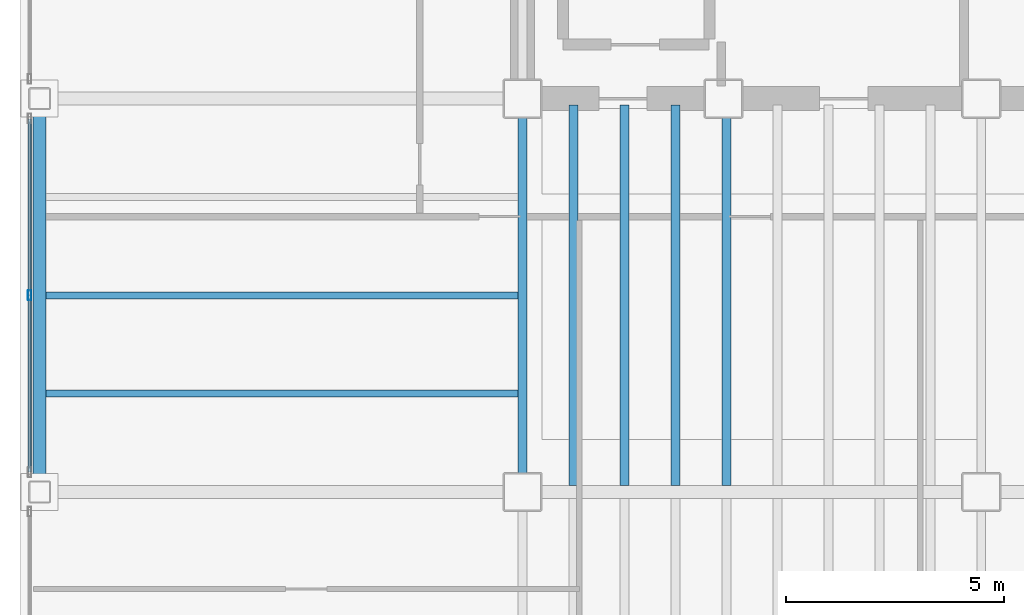
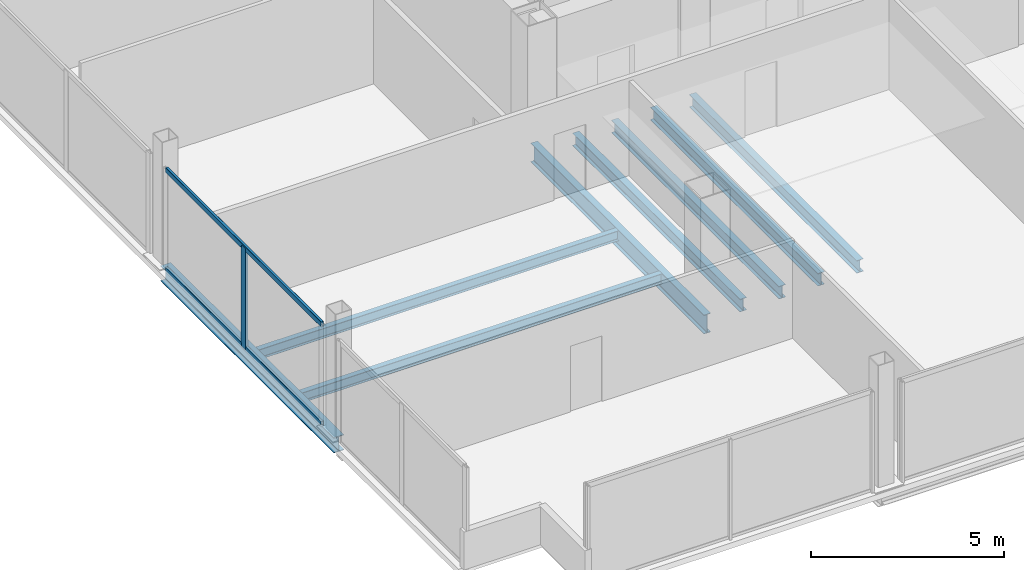
# One storey, part 3 of 20: 8 beams, 3 members, 1 element without a shape of its own.
"""IFC4 building model written with IfcOpenShell, lengths in metres."""

import ifcopenshell
import ifcopenshell.guid

model = None  # the IFC model being written
_history = None  # IfcOwnerHistory: only IFC2X3 demands one
_inside = {}  # id of a spatial element -> (the spatial element, [elements in it])
_under = {}  # id of a project, library or spatial element -> (it, [spatial elements below it])
_declared = {}  # id of a project -> (the project, [libraries it declares])
_typed = {}  # id of a type object -> (the type object, [elements of that type])
_made_of = {}  # id of a material, layer set ... -> (it, [elements and type objects made of it])


def new_model(schema):
    """Start an empty IFC model of exactly this schema.

    Asked for "IFC4X3", IfcOpenShell would pick the latest addendum, in which some entities
    have other attributes; the version numbers below select the first issue.
    IFC2X3 requires an IfcOwnerHistory on every rooted entity: one is made here for all.
    """
    global model, _history
    if schema == "IFC4X3":
        model = ifcopenshell.file(schema_version=(4, 3, 0, 0))
    else:
        model = ifcopenshell.file(schema=schema)
    _inside.clear()
    _under.clear()
    _declared.clear()
    _typed.clear()
    _made_of.clear()
    _history = None
    if model.schema == "IFC2X3":
        org = make("IfcOrganization", Name="unknown")
        user = make(
            "IfcPersonAndOrganization",
            ThePerson=make("IfcPerson", FamilyName="unknown"),
            TheOrganization=org,
        )
        app = make(
            "IfcApplication",
            ApplicationDeveloper=org,
            Version="unknown",
            ApplicationFullName="unknown",
            ApplicationIdentifier="unknown",
        )
        _history = make(
            "IfcOwnerHistory",
            OwningUser=user,
            OwningApplication=app,
            ChangeAction="ADDED",
            CreationDate=0,
        )
    return model


def make(cls, **values):
    """One entity of the class cls with the attributes given. An attribute that is None is left unset."""
    return model.create_entity(
        cls, **{name: value for name, value in values.items() if value is not None}
    )


def rooted(cls, **values):
    """An entity with a GlobalId (a new one), such as an element, a storey or a relation."""
    return make(cls, GlobalId=ifcopenshell.guid.new(), OwnerHistory=_history, **values)


def si_unit(unit_type, name, prefix=None):
    """IfcSIUnit, for example si_unit("LENGTHUNIT", "METRE", prefix="MILLI")."""
    return make("IfcSIUnit", UnitType=unit_type, Prefix=prefix, Name=name)


def assignment(units):
    """IfcUnitAssignment: the units of a project."""
    return None if units is None else make("IfcUnitAssignment", Units=units)


def point(xyz):
    """IfcCartesianPoint."""
    return None if xyz is None else make("IfcCartesianPoint", Coordinates=xyz)


def direction(xyz):
    """IfcDirection."""
    return None if xyz is None else make("IfcDirection", DirectionRatios=xyz)


def frame(location, z_axis=None, x_axis=None):
    """IfcAxis2Placement3D, a coordinate frame: its origin and axes. An axis left out is left unset."""
    return make(
        "IfcAxis2Placement3D",
        Location=point(location),
        Axis=direction(z_axis),
        RefDirection=direction(x_axis),
    )


def frame_2d(location, x_axis=None):
    """IfcAxis2Placement2D, a coordinate frame in the plane: its origin and x axis."""
    return make(
        "IfcAxis2Placement2D", Location=point(location), RefDirection=direction(x_axis)
    )


def origin():
    """The frame at (0, 0, 0) with its axes left unset."""
    return frame((0.0, 0.0, 0.0))


def origin_2d():
    """The frame at (0, 0) in the plane with its x axis left unset."""
    return frame_2d((0.0, 0.0))


def place(relative_to, where):
    """IfcLocalPlacement: puts the frame where relative to a parent placement (None: the world)."""
    return make(
        "IfcLocalPlacement", PlacementRelTo=relative_to, RelativePlacement=where
    )


def context(
    kind, dimensions, precision=None, world=None, true_north=None, identifier=None
):
    """IfcGeometricRepresentationContext, for example the 3D "Model" context."""
    return make(
        "IfcGeometricRepresentationContext",
        ContextIdentifier=identifier,
        ContextType=kind,
        CoordinateSpaceDimension=dimensions,
        Precision=precision,
        WorldCoordinateSystem=world,
        TrueNorth=true_north,
    )


def subcontext(parent, identifier, kind, view, scale=None):
    """IfcGeometricRepresentationSubContext, for example "Body" below "Model"."""
    return make(
        "IfcGeometricRepresentationSubContext",
        ContextIdentifier=identifier,
        ContextType=kind,
        ParentContext=parent,
        TargetScale=scale,
        TargetView=view,
    )


def project(units=None, contexts=None):
    """IfcProject with its units and contexts."""
    return rooted(
        "IfcProject",
        Name="project",
        RepresentationContexts=contexts,
        UnitsInContext=assignment(units),
    )


def spatial(cls, under=None, at=None, **own):
    """A site, building, storey or space (cls), placed at a placement, below another one or the project."""
    s = rooted(cls, ObjectPlacement=at, **own)
    if under is not None:
        _under.setdefault(under.id(), (under, []))[1].append(s)
    return s


def profile(cls, at=None, kind="AREA", **sizes):
    """A parametric profile (cls). Its sizes go by their IFC names, for example OverallWidth=200.0."""
    return make(cls, ProfileType=kind, Position=at, **sizes)


def hollow_rectangle(**sizes):
    """IfcRectangleHollowProfileDef."""
    return profile("IfcRectangleHollowProfileDef", **sizes)


def i_section(**sizes):
    """IfcIShapeProfileDef."""
    return profile("IfcIShapeProfileDef", **sizes)


def extrude(swept, where, along, depth):
    """IfcExtrudedAreaSolid: the profile swept, set in the frame where, extruded along a direction by depth."""
    return make(
        "IfcExtrudedAreaSolid",
        SweptArea=swept,
        Position=where,
        ExtrudedDirection=direction(along),
        Depth=depth,
    )


def shape(context_of_items, identifier, shape_type, items):
    """IfcShapeRepresentation: the items that make up one representation, for example the "Body"."""
    return make(
        "IfcShapeRepresentation",
        ContextOfItems=context_of_items,
        RepresentationIdentifier=identifier,
        RepresentationType=shape_type,
        Items=items,
    )


def material(Name=None, Category=None):
    """IfcMaterial."""
    return make("IfcMaterial", Name=Name, Category=Category)


def material_profile(
    of_material, cross_section, Name=None, Category=None, Priority=None
):
    """IfcMaterialProfile: a cross section and its material."""
    return make(
        "IfcMaterialProfile",
        Name=Name,
        Material=of_material,
        Profile=cross_section,
        Priority=Priority,
        Category=Category,
    )


def profile_set(profiles, Name=None, composite=None):
    """IfcMaterialProfileSet."""
    return make(
        "IfcMaterialProfileSet",
        Name=Name,
        MaterialProfiles=profiles,
        CompositeProfile=composite,
    )


def made_of(thing, what):
    """Note that an element or type object is made of a material, layer set ...; save() writes the relation."""
    if what is not None:
        _made_of.setdefault(what.id(), (what, []))[1].append(thing)
    return thing


def type_object(cls, material=None, **own):
    """A type object (cls), such as IfcWallType, which elements share."""
    return made_of(rooted(cls, **own), material)


def element(
    cls,
    number,
    at=None,
    inside=None,
    cuts=None,
    type_object=None,
    material=None,
    context=None,
    identifier="Body",
    shape_type=None,
    held_by="IfcProductDefinitionShape",
    body=None,
    shapes=None,
    **own,
):
    """One element of the class cls, such as IfcWall. Its Tag is "e" and its number.

    at: its placement. inside: the storey or other place that contains it. cuts: it is an
    opening in that element (IfcRelVoidsElement). A single representation is given by context,
    identifier, shape_type and body (its items); several are given by shapes. held_by: the class
    of the entity that holds the representations. save() writes the other relations.
    """
    e = rooted(cls, Tag="e%d" % number, ObjectPlacement=at, **own)
    if body is not None:
        shapes = [shape(context, identifier, shape_type, body)]
    if shapes is not None:
        e.Representation = make(held_by, Representations=shapes)
    if inside is not None:
        _inside.setdefault(inside.id(), (inside, []))[1].append(e)
    if cuts is not None:
        rooted(
            "IfcRelVoidsElement", RelatingBuildingElement=cuts, RelatedOpeningElement=e
        )
    if type_object is not None:
        _typed.setdefault(type_object.id(), (type_object, []))[1].append(e)
    return made_of(e, material)


def aggregate(whole, parts):
    """IfcRelAggregates: a whole, such as a stair, and the parts it consists of."""
    return rooted("IfcRelAggregates", RelatingObject=whole, RelatedObjects=parts)


def save(model, path):
    """Write the relations noted so far, then the file.

    IfcRelAggregates (storeys below a building ...), IfcRelContainedInSpatialStructure (elements
    in a storey), IfcRelDefinesByType, IfcRelAssociatesMaterial and IfcRelDeclares: one each for
    every whole, place, type object, material and project.
    """
    for whole, parts in _under.values():
        aggregate(whole, parts)
    for where, things in _inside.values():
        rooted(
            "IfcRelContainedInSpatialStructure",
            RelatedElements=things,
            RelatingStructure=where,
        )
    for kind, things in _typed.values():
        rooted("IfcRelDefinesByType", RelatedObjects=things, RelatingType=kind)
    for what, things in _made_of.values():
        rooted("IfcRelAssociatesMaterial", RelatedObjects=things, RelatingMaterial=what)
    for by, libraries in _declared.values():
        rooted("IfcRelDeclares", RelatingContext=by, RelatedDefinitions=libraries)
    model.write(path)


model = new_model("IFC4")

# Units and contexts
model_context = context("Model", 3, precision=1e-05, world=origin(), true_north=direction((0.0, 1.0)))
body_context = subcontext(model_context, "Body", "Model", "MODEL_VIEW")
ifc_project = project(units=[si_unit("LENGTHUNIT", "METRE"), si_unit("AREAUNIT", "SQUARE_METRE"), si_unit("VOLUMEUNIT", "CUBIC_METRE"), si_unit("PLANEANGLEUNIT", "RADIAN"), si_unit("MASSUNIT", "GRAM", prefix="KILO")], contexts=[model_context])

# Site, building, storey
site_placement = place(None, origin())
site = spatial("IfcSite", under=ifc_project, at=site_placement, CompositionType="ELEMENT")
building_placement = place(site_placement, origin())
building = spatial("IfcBuilding", under=site, at=building_placement, Name="Noeulbin Bourse Tower", CompositionType="ELEMENT")
storey_placement = place(building_placement, frame((0.0, 0.0, 122.699951171875)))
storey = spatial("IfcBuildingStorey", under=building, at=storey_placement, Name="L30", CompositionType="ELEMENT", Elevation=122.699951171875)

# Beams
ifc_material_1 = material(Name="Steel S355", Category="steel")
ifc_material_profile_1 = material_profile(ifc_material_1, i_section(OverallWidth=0.199951171875, OverallDepth=0.60009765625, WebThickness=0.010986328125, FlangeThickness=0.01708984375, FilletRadius=0.02197265625, at=origin_2d()), Name="H-600x200x11x17", Category="LoadBearing")
ifc_profile_set_1 = profile_set([ifc_material_profile_1], Name="Steel S355")
beam_type_1 = type_object("IfcBeamType", Name="BM-GRD-600", PredefinedType="USERDEFINED", material=ifc_profile_set_1)
beam_1_placement = place(storey_placement, frame((13.5, 20.0, -0.47998046875), z_axis=(0.0, 1.0, 0.0), x_axis=(-1.0, 0.0, 0.0)))
element("IfcBeam", 1, at=beam_1_placement, inside=storey, type_object=beam_type_1, Name="Tower Primary Girder NS L30-1.2", ObjectType="GIRDER", PredefinedType="USERDEFINED", context=body_context, shape_type="SweptSolid", body=[
    extrude(i_section(OverallWidth=0.199951171875, OverallDepth=0.60009765625, WebThickness=0.010986328125, FlangeThickness=0.01708984375, FilletRadius=0.02197265625, at=origin_2d()), origin(), (0.0, 0.0, 1.0), 9.0),
])
ifc_material_profile_2 = material_profile(ifc_material_1, i_section(OverallWidth=0.159912109375, OverallDepth=0.320068359375, WebThickness=0.006591796875, FlangeThickness=0.010009765625, FilletRadius=0.012939453125, at=origin_2d()), Name="H-320x160x6.5x10", Category="LoadBearing")
ifc_profile_set_2 = profile_set([ifc_material_profile_2], Name="Steel S355")
beam_type_2 = type_object("IfcBeamType", Name="BM-JST-320", PredefinedType="JOIST", material=ifc_profile_set_2)
for number, where, z_axis, x_axis, name in (
    (2, (2.60009765625, 22.25, -0.33984375), (1.0, 0.0, 0.0), (0.0, 1.0, 0.0), "Wing Composite Joist L30-W47"),
    (3, (2.60009765625, 24.5, -0.33984375), (1.0, 0.0, 0.0), (0.0, 1.0, 0.0), "Wing Composite Joist L30-W48"),
):
    element("IfcBeam", number, at=place(storey_placement, frame(where, z_axis=z_axis, x_axis=x_axis)), inside=storey, type_object=beam_type_2, Name=name, PredefinedType="JOIST", context=body_context, shape_type="SweptSolid", body=[
        extrude(i_section(OverallWidth=0.159912109375, OverallDepth=0.320068359375, WebThickness=0.006591796875, FlangeThickness=0.010009765625, FilletRadius=0.012939453125, at=origin_2d()), origin(), (0.0, 0.0, 1.0), 10.7998046875),
    ])
ifc_material_profile_3 = material_profile(ifc_material_1, i_section(OverallWidth=0.199951171875, OverallDepth=0.39990234375, WebThickness=0.008056640625, FlangeThickness=0.012939453125, FilletRadius=0.01611328125, at=origin_2d()), Name="H-400x200x8x13", Category="LoadBearing")
ifc_profile_set_3 = profile_set([ifc_material_profile_3], Name="Steel S355")
beam_type_3 = type_object("IfcBeamType", Name="BM-SEC-400", PredefinedType="BEAM", material=ifc_profile_set_3)
for number, where, z_axis, x_axis, name in (
    (4, (14.666748046875, 20.14990234375, -0.3798828125), (0.0, 1.0, 0.0), (-1.0, 0.0, 0.0), "Tower Composite Joist L30-02"),
    (5, (15.833251953125, 20.14990234375, -0.3798828125), (0.0, 1.0, 0.0), (-1.0, 0.0, 0.0), "Tower Composite Joist L30-04"),
    (6, (17.0, 20.14990234375, -0.3798828125), (0.0, 1.0, 0.0), (-1.0, 0.0, 0.0), "Tower Composite Joist L30-06"),
    (7, (18.166748046875, 20.14990234375, -0.3798828125), (0.0, 1.0, 0.0), (-1.0, 0.0, 0.0), "Tower Composite Joist L30-08"),
):
    element("IfcBeam", number, at=place(storey_placement, frame(where, z_axis=z_axis, x_axis=x_axis)), inside=storey, type_object=beam_type_3, Name=name, PredefinedType="BEAM", context=body_context, shape_type="SweptSolid", body=[
        extrude(i_section(OverallWidth=0.199951171875, OverallDepth=0.39990234375, WebThickness=0.008056640625, FlangeThickness=0.012939453125, FilletRadius=0.01611328125, at=origin_2d()), origin(), (0.0, 0.0, 1.0), 8.7001953125),
    ])
ifc_material_profile_4 = material_profile(ifc_material_1, i_section(OverallWidth=0.300048828125, OverallDepth=0.488037109375, WebThickness=0.010986328125, FlangeThickness=0.01806640625, FilletRadius=0.02197265625, at=origin_2d()), Name="H-488x300x11x18", Category="LoadBearing")
ifc_profile_set_4 = profile_set([ifc_material_profile_4], Name="Steel S355")
beam_type_4 = type_object("IfcBeamType", Name="BM-SPN-488", PredefinedType="SPANDREL", material=ifc_profile_set_4)
beam_2_placement = place(storey_placement, frame((2.449951171875, 20.0, -0.424072265625), z_axis=(0.0, 1.0, 0.0), x_axis=(-1.0, 0.0, 0.0)))
element("IfcBeam", 8, at=beam_2_placement, inside=storey, type_object=beam_type_4, Name="West Spandrel L30-1", PredefinedType="SPANDREL", context=body_context, shape_type="SweptSolid", body=[
    extrude(i_section(OverallWidth=0.300048828125, OverallDepth=0.488037109375, WebThickness=0.010986328125, FlangeThickness=0.01806640625, FilletRadius=0.02197265625, at=origin_2d()), origin(), (0.0, 0.0, 1.0), 9.0),
])

# Curtain wall, members
ifc_material_2 = material(Name="Dark Tinted Triple Glazing", Category="glass")
curtain_wall_type = type_object("IfcCurtainWallType", Name="CW-SYS-3", PredefinedType="NOTDEFINED", material=ifc_material_2)
curtain_wall_placement = place(storey_placement, origin())
curtain_wall = element("IfcCurtainWall", 9, at=curtain_wall_placement, inside=storey, type_object=curtain_wall_type, Name="Unitised Curtain Wall CW-L30-W-S2", PredefinedType="NOTDEFINED")
ifc_material_3 = material(Name="Anodised Aluminium 6063-T6", Category="aluminium")
ifc_material_profile_5 = material_profile(ifc_material_3, hollow_rectangle(XDim=0.074951171875, YDim=0.219970703125, WallThickness=0.0048828125, InnerFilletRadius=0.00244140625, OuterFilletRadius=0.0048828125, at=origin_2d()), Name="ALU-MULL-75x220x5", Category="LoadBearing")
ifc_profile_set_5 = profile_set([ifc_material_profile_5], Name="Anodised Aluminium 6063-T6")
member_type_1 = type_object("IfcMemberType", Name="CW-SYS-3-MUL", PredefinedType="MULLION", material=ifc_profile_set_5)
member_1_placement = place(storey_placement, frame((2.219970703125, 24.5, -0.02001953125), z_axis=(0.0, 0.0, 1.0), x_axis=(1.0, 0.0, 0.0)))
member_1 = element("IfcMember", 10, at=member_1_placement, type_object=member_type_1, Name="Curtain Wall Mullion CW-L30-W-S2-M01", PredefinedType="MULLION", context=body_context, shape_type="SweptSolid", body=[
    extrude(hollow_rectangle(XDim=0.074951171875, YDim=0.219970703125, WallThickness=0.0048828125, InnerFilletRadius=0.00244140625, OuterFilletRadius=0.0048828125, at=origin_2d()), origin(), (0.0, 0.0, 1.0), 3.219970703125),
])
ifc_material_profile_6 = material_profile(ifc_material_3, hollow_rectangle(XDim=0.074951171875, YDim=0.159912109375, WallThickness=0.0048828125, InnerFilletRadius=0.00244140625, OuterFilletRadius=0.0048828125, at=origin_2d()), Name="ALU-TRAN-75x160x5", Category="LoadBearing")
ifc_profile_set_6 = profile_set([ifc_material_profile_6], Name="Anodised Aluminium 6063-T6")
member_type_2 = type_object("IfcMemberType", Name="CW-SYS-3-TRN", PredefinedType="USERDEFINED", material=ifc_profile_set_6)
member_2_placement = place(storey_placement, frame((2.219970703125, 20.4599609375, 0.010009765625), z_axis=(0.0, 1.0, 0.0), x_axis=(-1.0, 0.0, 0.0)))
member_2 = element("IfcMember", 11, at=member_2_placement, type_object=member_type_2, Name="Curtain Wall Transom CW-L30-W-S2-T00", ObjectType="TRANSOM", PredefinedType="USERDEFINED", context=body_context, shape_type="SweptSolid", body=[
    extrude(hollow_rectangle(XDim=0.074951171875, YDim=0.159912109375, WallThickness=0.0048828125, InnerFilletRadius=0.00244140625, OuterFilletRadius=0.0048828125, at=origin_2d()), origin(), (0.0, 0.0, 1.0), 8.080078125),
])
member_3_placement = place(storey_placement, frame((2.219970703125, 20.4599609375, 3.170166015625), z_axis=(0.0, 1.0, 0.0), x_axis=(-1.0, 0.0, 0.0)))
member_3 = element("IfcMember", 12, at=member_3_placement, type_object=member_type_2, Name="Curtain Wall Transom CW-L30-W-S2-T01", ObjectType="TRANSOM", PredefinedType="USERDEFINED", context=body_context, shape_type="SweptSolid", body=[
    extrude(hollow_rectangle(XDim=0.074951171875, YDim=0.159912109375, WallThickness=0.0048828125, InnerFilletRadius=0.00244140625, OuterFilletRadius=0.0048828125, at=origin_2d()), origin(), (0.0, 0.0, 1.0), 8.080078125),
])
aggregate(curtain_wall, [member_1, member_2, member_3])

save(model, "model.ifc")
